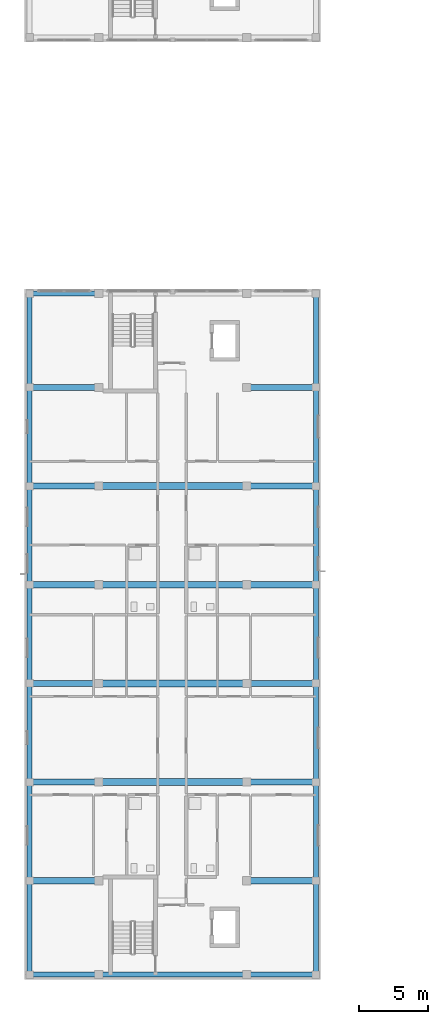
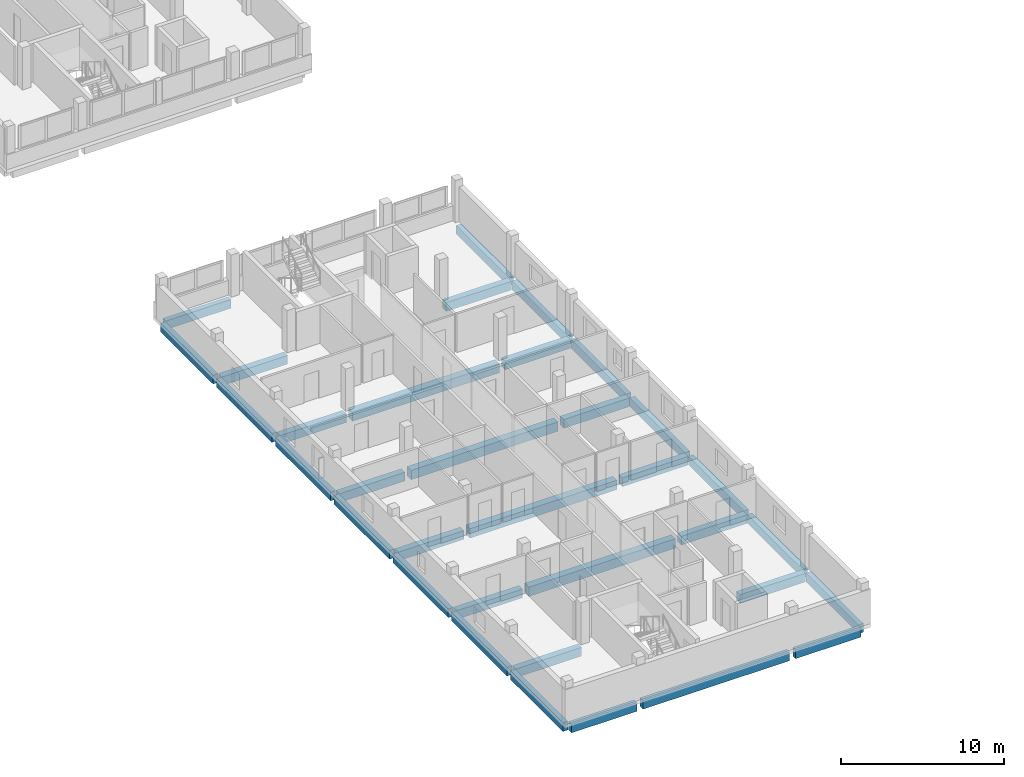
# One storey, part 3 of 38: 34 beams.
"""IFC4 building model written with IfcOpenShell, lengths in metres."""

import ifcopenshell
import ifcopenshell.guid

model = None  # the IFC model being written
_history = None  # IfcOwnerHistory: only IFC2X3 demands one
_inside = {}  # id of a spatial element -> (the spatial element, [elements in it])
_under = {}  # id of a project, library or spatial element -> (it, [spatial elements below it])
_declared = {}  # id of a project -> (the project, [libraries it declares])
_typed = {}  # id of a type object -> (the type object, [elements of that type])
_made_of = {}  # id of a material, layer set ... -> (it, [elements and type objects made of it])


def new_model(schema):
    """Start an empty IFC model of exactly this schema.

    Asked for "IFC4X3", IfcOpenShell would pick the latest addendum, in which some entities
    have other attributes; the version numbers below select the first issue.
    IFC2X3 requires an IfcOwnerHistory on every rooted entity: one is made here for all.
    """
    global model, _history
    if schema == "IFC4X3":
        model = ifcopenshell.file(schema_version=(4, 3, 0, 0))
    else:
        model = ifcopenshell.file(schema=schema)
    _inside.clear()
    _under.clear()
    _declared.clear()
    _typed.clear()
    _made_of.clear()
    _history = None
    if model.schema == "IFC2X3":
        org = make("IfcOrganization", Name="unknown")
        user = make(
            "IfcPersonAndOrganization",
            ThePerson=make("IfcPerson", FamilyName="unknown"),
            TheOrganization=org,
        )
        app = make(
            "IfcApplication",
            ApplicationDeveloper=org,
            Version="unknown",
            ApplicationFullName="unknown",
            ApplicationIdentifier="unknown",
        )
        _history = make(
            "IfcOwnerHistory",
            OwningUser=user,
            OwningApplication=app,
            ChangeAction="ADDED",
            CreationDate=0,
        )
    return model


def make(cls, **values):
    """One entity of the class cls with the attributes given. An attribute that is None is left unset."""
    return model.create_entity(
        cls, **{name: value for name, value in values.items() if value is not None}
    )


def rooted(cls, **values):
    """An entity with a GlobalId (a new one), such as an element, a storey or a relation."""
    return make(cls, GlobalId=ifcopenshell.guid.new(), OwnerHistory=_history, **values)


def si_unit(unit_type, name, prefix=None):
    """IfcSIUnit, for example si_unit("LENGTHUNIT", "METRE", prefix="MILLI")."""
    return make("IfcSIUnit", UnitType=unit_type, Prefix=prefix, Name=name)


def derived_unit(unit_type, elements):
    """IfcDerivedUnit: a product of units, each with its exponent."""
    return make(
        "IfcDerivedUnit",
        Elements=[
            make("IfcDerivedUnitElement", Unit=unit, Exponent=power)
            for unit, power in elements
        ],
        UnitType=unit_type,
    )


def assignment(units):
    """IfcUnitAssignment: the units of a project."""
    return None if units is None else make("IfcUnitAssignment", Units=units)


def point(xyz):
    """IfcCartesianPoint."""
    return None if xyz is None else make("IfcCartesianPoint", Coordinates=xyz)


def direction(xyz):
    """IfcDirection."""
    return None if xyz is None else make("IfcDirection", DirectionRatios=xyz)


def frame(location, z_axis=None, x_axis=None):
    """IfcAxis2Placement3D, a coordinate frame: its origin and axes. An axis left out is left unset."""
    return make(
        "IfcAxis2Placement3D",
        Location=point(location),
        Axis=direction(z_axis),
        RefDirection=direction(x_axis),
    )


def frame_2d(location, x_axis=None):
    """IfcAxis2Placement2D, a coordinate frame in the plane: its origin and x axis."""
    return make(
        "IfcAxis2Placement2D", Location=point(location), RefDirection=direction(x_axis)
    )


def origin():
    """The frame at (0, 0, 0) with its axes left unset."""
    return frame((0.0, 0.0, 0.0))


def origin_2d():
    """The frame at (0, 0) in the plane with its x axis left unset."""
    return frame_2d((0.0, 0.0))


def place(relative_to, where):
    """IfcLocalPlacement: puts the frame where relative to a parent placement (None: the world)."""
    return make(
        "IfcLocalPlacement", PlacementRelTo=relative_to, RelativePlacement=where
    )


def context(
    kind, dimensions, precision=None, world=None, true_north=None, identifier=None
):
    """IfcGeometricRepresentationContext, for example the 3D "Model" context."""
    return make(
        "IfcGeometricRepresentationContext",
        ContextIdentifier=identifier,
        ContextType=kind,
        CoordinateSpaceDimension=dimensions,
        Precision=precision,
        WorldCoordinateSystem=world,
        TrueNorth=true_north,
    )


def subcontext(parent, identifier, kind, view, scale=None):
    """IfcGeometricRepresentationSubContext, for example "Body" below "Model"."""
    return make(
        "IfcGeometricRepresentationSubContext",
        ContextIdentifier=identifier,
        ContextType=kind,
        ParentContext=parent,
        TargetScale=scale,
        TargetView=view,
    )


def project(units=None, contexts=None):
    """IfcProject with its units and contexts."""
    return rooted(
        "IfcProject",
        Name="project",
        RepresentationContexts=contexts,
        UnitsInContext=assignment(units),
    )


def spatial(cls, under=None, at=None, **own):
    """A site, building, storey or space (cls), placed at a placement, below another one or the project."""
    s = rooted(cls, ObjectPlacement=at, **own)
    if under is not None:
        _under.setdefault(under.id(), (under, []))[1].append(s)
    return s


def profile(cls, at=None, kind="AREA", **sizes):
    """A parametric profile (cls). Its sizes go by their IFC names, for example OverallWidth=200.0."""
    return make(cls, ProfileType=kind, Position=at, **sizes)


def rectangle(**sizes):
    """IfcRectangleProfileDef."""
    return profile("IfcRectangleProfileDef", **sizes)


def extrude(swept, where, along, depth):
    """IfcExtrudedAreaSolid: the profile swept, set in the frame where, extruded along a direction by depth."""
    return make(
        "IfcExtrudedAreaSolid",
        SweptArea=swept,
        Position=where,
        ExtrudedDirection=direction(along),
        Depth=depth,
    )


def shape(context_of_items, identifier, shape_type, items):
    """IfcShapeRepresentation: the items that make up one representation, for example the "Body"."""
    return make(
        "IfcShapeRepresentation",
        ContextOfItems=context_of_items,
        RepresentationIdentifier=identifier,
        RepresentationType=shape_type,
        Items=items,
    )


def material(Name=None, Category=None):
    """IfcMaterial."""
    return make("IfcMaterial", Name=Name, Category=Category)


def material_profile(
    of_material, cross_section, Name=None, Category=None, Priority=None
):
    """IfcMaterialProfile: a cross section and its material."""
    return make(
        "IfcMaterialProfile",
        Name=Name,
        Material=of_material,
        Profile=cross_section,
        Priority=Priority,
        Category=Category,
    )


def profile_set(profiles, Name=None, composite=None):
    """IfcMaterialProfileSet."""
    return make(
        "IfcMaterialProfileSet",
        Name=Name,
        MaterialProfiles=profiles,
        CompositeProfile=composite,
    )


def made_of(thing, what):
    """Note that an element or type object is made of a material, layer set ...; save() writes the relation."""
    if what is not None:
        _made_of.setdefault(what.id(), (what, []))[1].append(thing)
    return thing


def type_object(cls, material=None, **own):
    """A type object (cls), such as IfcWallType, which elements share."""
    return made_of(rooted(cls, **own), material)


def element(
    cls,
    number,
    at=None,
    inside=None,
    cuts=None,
    type_object=None,
    material=None,
    context=None,
    identifier="Body",
    shape_type=None,
    held_by="IfcProductDefinitionShape",
    body=None,
    shapes=None,
    **own,
):
    """One element of the class cls, such as IfcWall. Its Tag is "e" and its number.

    at: its placement. inside: the storey or other place that contains it. cuts: it is an
    opening in that element (IfcRelVoidsElement). A single representation is given by context,
    identifier, shape_type and body (its items); several are given by shapes. held_by: the class
    of the entity that holds the representations. save() writes the other relations.
    """
    e = rooted(cls, Tag="e%d" % number, ObjectPlacement=at, **own)
    if body is not None:
        shapes = [shape(context, identifier, shape_type, body)]
    if shapes is not None:
        e.Representation = make(held_by, Representations=shapes)
    if inside is not None:
        _inside.setdefault(inside.id(), (inside, []))[1].append(e)
    if cuts is not None:
        rooted(
            "IfcRelVoidsElement", RelatingBuildingElement=cuts, RelatedOpeningElement=e
        )
    if type_object is not None:
        _typed.setdefault(type_object.id(), (type_object, []))[1].append(e)
    return made_of(e, material)


def aggregate(whole, parts):
    """IfcRelAggregates: a whole, such as a stair, and the parts it consists of."""
    return rooted("IfcRelAggregates", RelatingObject=whole, RelatedObjects=parts)


def save(model, path):
    """Write the relations noted so far, then the file.

    IfcRelAggregates (storeys below a building ...), IfcRelContainedInSpatialStructure (elements
    in a storey), IfcRelDefinesByType, IfcRelAssociatesMaterial and IfcRelDeclares: one each for
    every whole, place, type object, material and project.
    """
    for whole, parts in _under.values():
        aggregate(whole, parts)
    for where, things in _inside.values():
        rooted(
            "IfcRelContainedInSpatialStructure",
            RelatedElements=things,
            RelatingStructure=where,
        )
    for kind, things in _typed.values():
        rooted("IfcRelDefinesByType", RelatedObjects=things, RelatingType=kind)
    for what, things in _made_of.values():
        rooted("IfcRelAssociatesMaterial", RelatedObjects=things, RelatingMaterial=what)
    for by, libraries in _declared.values():
        rooted("IfcRelDeclares", RelatingContext=by, RelatedDefinitions=libraries)
    model.write(path)


model = new_model("IFC4")

# Units and contexts
model_context = context("Model", 3, precision=1e-05, world=origin(), true_north=direction((0.0, 1.0)))
body_context = subcontext(model_context, "Body", "Model", "MODEL_VIEW")
ifc_project = project(units=[si_unit("LENGTHUNIT", "METRE"), si_unit("AREAUNIT", "SQUARE_METRE"), si_unit("VOLUMEUNIT", "CUBIC_METRE"), si_unit("PLANEANGLEUNIT", "RADIAN"), si_unit("MASSUNIT", "GRAM", prefix="KILO"), derived_unit("THERMALTRANSMITTANCEUNIT", [(si_unit("MASSUNIT", "GRAM", prefix="KILO"), 1), (si_unit("TIMEUNIT", "SECOND"), -3), (si_unit("THERMODYNAMICTEMPERATUREUNIT", "KELVIN"), -1)])], contexts=[model_context])

# Site, building, storey
site_placement = place(None, origin())
site = spatial("IfcSite", under=ifc_project, at=site_placement, CompositionType="ELEMENT")
building_placement = place(site_placement, origin())
building = spatial("IfcBuilding", under=site, at=building_placement, Name="Ochrekiln Boulevard Commons", CompositionType="ELEMENT")
storey_placement = place(building_placement, frame((0.0, 0.0, 24.675048828125)))
storey = spatial("IfcBuildingStorey", under=building, at=storey_placement, Name="L07", CompositionType="ELEMENT", Elevation=24.675048828125)

# Beams
ifc_material_1 = material(Name="Concrete C35/45", Category="concrete")
ifc_material_profile_1 = material_profile(ifc_material_1, rectangle(XDim=0.449951171875, YDim=0.64990234375, at=origin_2d()), Name="RC-BM-450x650")
ifc_profile_set_1 = profile_set([ifc_material_profile_1], Name="Concrete C35/45")
beam_type_1 = type_object("IfcBeamType", Name="BM-RC-450x650", PredefinedType="BEAM", material=ifc_profile_set_1)
beam_1_placement = place(storey_placement, frame((0.56005859375, 7.199951171875, -0.5849609375), z_axis=(1.0, 0.0, 0.0), x_axis=(0.0, 1.0, 0.0)))
element("IfcBeam", 1, at=beam_1_placement, inside=storey, type_object=beam_type_1, Name="Block D L07 Beam B-4565 X4", PredefinedType="BEAM", context=body_context, shape_type="SweptSolid", body=[
    extrude(rectangle(XDim=0.449951171875, YDim=0.64990234375, at=origin_2d()), origin(), (0.0, 0.0, 1.0), 4.6298828125),
])
beam_2_placement = place(storey_placement, frame((16.409912109375, 7.199951171875, -0.5849609375), z_axis=(1.0, 0.0, 0.0), x_axis=(0.0, 1.0, 0.0)))
element("IfcBeam", 2, at=beam_2_placement, inside=storey, type_object=beam_type_1, Name="Block D L07 Beam B-4565 X5", PredefinedType="BEAM", context=body_context, shape_type="SweptSolid", body=[
    extrude(rectangle(XDim=0.449951171875, YDim=0.64990234375, at=origin_2d()), origin(), (0.0, 0.0, 1.0), 4.630126953125),
])
beam_3_placement = place(storey_placement, frame((0.56005859375, 14.39990234375, -0.5849609375), z_axis=(1.0, 0.0, 0.0), x_axis=(0.0, 1.0, 0.0)))
element("IfcBeam", 3, at=beam_3_placement, inside=storey, type_object=beam_type_1, Name="Block D L07 Beam B-4565 X6", PredefinedType="BEAM", context=body_context, shape_type="SweptSolid", body=[
    extrude(rectangle(XDim=0.449951171875, YDim=0.64990234375, at=origin_2d()), origin(), (0.0, 0.0, 1.0), 4.6298828125),
])
beam_4_placement = place(storey_placement, frame((16.409912109375, 14.39990234375, -0.5849609375), z_axis=(1.0, 0.0, 0.0), x_axis=(0.0, 1.0, 0.0)))
element("IfcBeam", 4, at=beam_4_placement, inside=storey, type_object=beam_type_1, Name="Block D L07 Beam B-4565 X8", PredefinedType="BEAM", context=body_context, shape_type="SweptSolid", body=[
    extrude(rectangle(XDim=0.449951171875, YDim=0.64990234375, at=origin_2d()), origin(), (0.0, 0.0, 1.0), 4.630126953125),
])
beam_5_placement = place(storey_placement, frame((0.56005859375, 21.60009765625, -0.5849609375), z_axis=(1.0, 0.0, 0.0), x_axis=(0.0, 1.0, 0.0)))
element("IfcBeam", 5, at=beam_5_placement, inside=storey, type_object=beam_type_1, Name="Block D L07 Beam B-4565 X9", PredefinedType="BEAM", context=body_context, shape_type="SweptSolid", body=[
    extrude(rectangle(XDim=0.449951171875, YDim=0.64990234375, at=origin_2d()), origin(), (0.0, 0.0, 1.0), 4.6298828125),
])
beam_6_placement = place(storey_placement, frame((16.409912109375, 21.60009765625, -0.5849609375), z_axis=(1.0, 0.0, 0.0), x_axis=(0.0, 1.0, 0.0)))
element("IfcBeam", 6, at=beam_6_placement, inside=storey, type_object=beam_type_1, Name="Block D L07 Beam B-4565 X11", PredefinedType="BEAM", context=body_context, shape_type="SweptSolid", body=[
    extrude(rectangle(XDim=0.449951171875, YDim=0.64990234375, at=origin_2d()), origin(), (0.0, 0.0, 1.0), 4.630126953125),
])
beam_7_placement = place(storey_placement, frame((0.56005859375, 28.800048828125, -0.5849609375), z_axis=(1.0, 0.0, 0.0), x_axis=(0.0, 1.0, 0.0)))
element("IfcBeam", 7, at=beam_7_placement, inside=storey, type_object=beam_type_1, Name="Block D L07 Beam B-4565 X12", PredefinedType="BEAM", context=body_context, shape_type="SweptSolid", body=[
    extrude(rectangle(XDim=0.449951171875, YDim=0.64990234375, at=origin_2d()), origin(), (0.0, 0.0, 1.0), 4.6298828125),
])
beam_8_placement = place(storey_placement, frame((16.409912109375, 28.800048828125, -0.5849609375), z_axis=(1.0, 0.0, 0.0), x_axis=(0.0, 1.0, 0.0)))
element("IfcBeam", 8, at=beam_8_placement, inside=storey, type_object=beam_type_1, Name="Block D L07 Beam B-4565 X14", PredefinedType="BEAM", context=body_context, shape_type="SweptSolid", body=[
    extrude(rectangle(XDim=0.449951171875, YDim=0.64990234375, at=origin_2d()), origin(), (0.0, 0.0, 1.0), 4.630126953125),
])
beam_9_placement = place(storey_placement, frame((0.56005859375, 36.0, -0.5849609375), z_axis=(1.0, 0.0, 0.0), x_axis=(0.0, 1.0, 0.0)))
element("IfcBeam", 9, at=beam_9_placement, inside=storey, type_object=beam_type_1, Name="Block D L07 Beam B-4565 X15", PredefinedType="BEAM", context=body_context, shape_type="SweptSolid", body=[
    extrude(rectangle(XDim=0.449951171875, YDim=0.64990234375, at=origin_2d()), origin(), (0.0, 0.0, 1.0), 4.6298828125),
])
beam_10_placement = place(storey_placement, frame((16.409912109375, 36.0, -0.5849609375), z_axis=(1.0, 0.0, 0.0), x_axis=(0.0, 1.0, 0.0)))
element("IfcBeam", 10, at=beam_10_placement, inside=storey, type_object=beam_type_1, Name="Block D L07 Beam B-4565 X17", PredefinedType="BEAM", context=body_context, shape_type="SweptSolid", body=[
    extrude(rectangle(XDim=0.449951171875, YDim=0.64990234375, at=origin_2d()), origin(), (0.0, 0.0, 1.0), 4.630126953125),
])
beam_11_placement = place(storey_placement, frame((0.56005859375, 43.199951171875, -0.5849609375), z_axis=(1.0, 0.0, 0.0), x_axis=(0.0, 1.0, 0.0)))
element("IfcBeam", 11, at=beam_11_placement, inside=storey, type_object=beam_type_1, Name="Block D L07 Beam B-4565 X18", PredefinedType="BEAM", context=body_context, shape_type="SweptSolid", body=[
    extrude(rectangle(XDim=0.449951171875, YDim=0.64990234375, at=origin_2d()), origin(), (0.0, 0.0, 1.0), 4.6298828125),
])
beam_12_placement = place(storey_placement, frame((16.409912109375, 43.199951171875, -0.5849609375), z_axis=(1.0, 0.0, 0.0), x_axis=(0.0, 1.0, 0.0)))
element("IfcBeam", 12, at=beam_12_placement, inside=storey, type_object=beam_type_1, Name="Block D L07 Beam B-4565 X19", PredefinedType="BEAM", context=body_context, shape_type="SweptSolid", body=[
    extrude(rectangle(XDim=0.449951171875, YDim=0.64990234375, at=origin_2d()), origin(), (0.0, 0.0, 1.0), 4.630126953125),
])
ifc_material_2 = material(Name="Concrete C40/50", Category="concrete")
ifc_material_profile_2 = material_profile(ifc_material_2, rectangle(XDim=0.5, YDim=0.699951171875, at=origin_2d()), Name="RC-BM-500x700")
ifc_profile_set_2 = profile_set([ifc_material_profile_2], Name="Concrete C40/50")
beam_type_2 = type_object("IfcBeamType", Name="BM-RC-500x700", PredefinedType="BEAM", material=ifc_profile_set_2)
for number, where, z_axis, x_axis, name in (
    (13, (5.610107421875, 14.39990234375, -0.610107421875), (1.0, 0.0, 0.0), (0.0, 1.0, 0.0), "Block D L07 Beam B-5070 X7"),
    (14, (5.610107421875, 21.60009765625, -0.610107421875), (1.0, 0.0, 0.0), (0.0, 1.0, 0.0), "Block D L07 Beam B-5070 X10"),
    (15, (5.610107421875, 28.800048828125, -0.610107421875), (1.0, 0.0, 0.0), (0.0, 1.0, 0.0), "Block D L07 Beam B-5070 X13"),
    (16, (5.610107421875, 36.0, -0.610107421875), (1.0, 0.0, 0.0), (0.0, 1.0, 0.0), "Block D L07 Beam B-5070 X16"),
):
    element("IfcBeam", number, at=place(storey_placement, frame(where, z_axis=z_axis, x_axis=x_axis)), inside=storey, type_object=beam_type_2, Name=name, PredefinedType="BEAM", context=body_context, shape_type="SweptSolid", body=[
        extrude(rectangle(XDim=0.5, YDim=0.699951171875, at=origin_2d()), origin(), (0.0, 0.0, 1.0), 10.3798828125),
    ])
ifc_material_profile_3 = material_profile(ifc_material_2, rectangle(XDim=0.35009765625, YDim=0.64990234375, at=origin_2d()), Name="RC-SPN-350x650")
ifc_profile_set_3 = profile_set([ifc_material_profile_3], Name="Concrete C40/50")
beam_type_3 = type_object("IfcBeamType", Name="SPN-RC-350x650", PredefinedType="SPANDREL", material=ifc_profile_set_3)
beam_13_placement = place(storey_placement, frame((0.56005859375, 0.35009765625, -0.5849609375), z_axis=(1.0, 0.0, 0.0), x_axis=(0.0, 1.0, 0.0)))
element("IfcBeam", 17, at=beam_13_placement, inside=storey, type_object=beam_type_3, Name="Block D L07 Beam SP-3565 X1", PredefinedType="SPANDREL", context=body_context, shape_type="SweptSolid", body=[
    extrude(rectangle(XDim=0.35009765625, YDim=0.64990234375, at=origin_2d()), origin(), (0.0, 0.0, 1.0), 4.6298828125),
])
beam_14_placement = place(storey_placement, frame((5.610107421875, 0.35009765625, -0.5849609375), z_axis=(1.0, 0.0, 0.0), x_axis=(0.0, 1.0, 0.0)))
element("IfcBeam", 18, at=beam_14_placement, inside=storey, type_object=beam_type_3, Name="Block D L07 Beam SP-3565 X2", PredefinedType="SPANDREL", context=body_context, shape_type="SweptSolid", body=[
    extrude(rectangle(XDim=0.35009765625, YDim=0.64990234375, at=origin_2d()), origin(), (0.0, 0.0, 1.0), 10.3798828125),
])
beam_15_placement = place(storey_placement, frame((16.409912109375, 0.35009765625, -0.5849609375), z_axis=(1.0, 0.0, 0.0), x_axis=(0.0, 1.0, 0.0)))
element("IfcBeam", 19, at=beam_15_placement, inside=storey, type_object=beam_type_3, Name="Block D L07 Beam SP-3565 X3", PredefinedType="SPANDREL", context=body_context, shape_type="SweptSolid", body=[
    extrude(rectangle(XDim=0.35009765625, YDim=0.64990234375, at=origin_2d()), origin(), (0.0, 0.0, 1.0), 4.630126953125),
])
beam_16_placement = place(storey_placement, frame((0.56005859375, 50.050048828125, -0.5849609375), z_axis=(1.0, 0.0, 0.0), x_axis=(0.0, 1.0, 0.0)))
element("IfcBeam", 20, at=beam_16_placement, inside=storey, type_object=beam_type_3, Name="Block D L07 Beam SP-3565 X20", PredefinedType="SPANDREL", context=body_context, shape_type="SweptSolid", body=[
    extrude(rectangle(XDim=0.35009765625, YDim=0.64990234375, at=origin_2d()), origin(), (0.0, 0.0, 1.0), 4.6298828125),
])
beam_17_placement = place(storey_placement, frame((0.35009765625, 0.56005859375, -0.5849609375), z_axis=(0.0, 1.0, 0.0), x_axis=(-1.0, 0.0, 0.0)))
element("IfcBeam", 21, at=beam_17_placement, inside=storey, type_object=beam_type_3, Name="Block D L07 Beam SP-3565 Y23", PredefinedType="SPANDREL", context=body_context, shape_type="SweptSolid", body=[
    extrude(rectangle(XDim=0.35009765625, YDim=0.64990234375, at=origin_2d()), origin(), (0.0, 0.0, 1.0), 6.429931640625),
])
beam_18_placement = place(storey_placement, frame((0.35009765625, 7.409912109375, -0.5849609375), z_axis=(0.0, 1.0, 0.0), x_axis=(-1.0, 0.0, 0.0)))
element("IfcBeam", 22, at=beam_18_placement, inside=storey, type_object=beam_type_3, Name="Block D L07 Beam SP-3565 Y24", PredefinedType="SPANDREL", context=body_context, shape_type="SweptSolid", body=[
    extrude(rectangle(XDim=0.35009765625, YDim=0.64990234375, at=origin_2d()), origin(), (0.0, 0.0, 1.0), 6.780029296875),
])
beam_19_placement = place(storey_placement, frame((0.35009765625, 14.610107421875, -0.5849609375), z_axis=(0.0, 1.0, 0.0), x_axis=(-1.0, 0.0, 0.0)))
element("IfcBeam", 23, at=beam_19_placement, inside=storey, type_object=beam_type_3, Name="Block D L07 Beam SP-3565 Y25", PredefinedType="SPANDREL", context=body_context, shape_type="SweptSolid", body=[
    extrude(rectangle(XDim=0.35009765625, YDim=0.64990234375, at=origin_2d()), origin(), (0.0, 0.0, 1.0), 6.77978515625),
])
for number, where, z_axis, x_axis, name in (
    (24, (0.35009765625, 21.81005859375, -0.5849609375), (0.0, 1.0, 0.0), (-1.0, 0.0, 0.0), "Block D L07 Beam SP-3565 Y26"),
    (25, (0.35009765625, 29.010009765625, -0.5849609375), (0.0, 1.0, 0.0), (-1.0, 0.0, 0.0), "Block D L07 Beam SP-3565 Y27"),
    (26, (0.35009765625, 36.2099609375, -0.5849609375), (0.0, 1.0, 0.0), (-1.0, 0.0, 0.0), "Block D L07 Beam SP-3565 Y28"),
):
    element("IfcBeam", number, at=place(storey_placement, frame(where, z_axis=z_axis, x_axis=x_axis)), inside=storey, type_object=beam_type_3, Name=name, PredefinedType="SPANDREL", context=body_context, shape_type="SweptSolid", body=[
        extrude(rectangle(XDim=0.35009765625, YDim=0.64990234375, at=origin_2d()), origin(), (0.0, 0.0, 1.0), 6.780029296875),
    ])
beam_20_placement = place(storey_placement, frame((0.35009765625, 43.409912109375, -0.5849609375), z_axis=(0.0, 1.0, 0.0), x_axis=(-1.0, 0.0, 0.0)))
element("IfcBeam", 27, at=beam_20_placement, inside=storey, type_object=beam_type_3, Name="Block D L07 Beam SP-3565 Y29", PredefinedType="SPANDREL", context=body_context, shape_type="SweptSolid", body=[
    extrude(rectangle(XDim=0.35009765625, YDim=0.64990234375, at=origin_2d()), origin(), (0.0, 0.0, 1.0), 6.43017578125),
])
beam_21_placement = place(storey_placement, frame((21.25, 0.56005859375, -0.5849609375), z_axis=(0.0, 1.0, 0.0), x_axis=(-1.0, 0.0, 0.0)))
element("IfcBeam", 28, at=beam_21_placement, inside=storey, type_object=beam_type_3, Name="Block D L07 Beam SP-3565 Y30", PredefinedType="SPANDREL", context=body_context, shape_type="SweptSolid", body=[
    extrude(rectangle(XDim=0.35009765625, YDim=0.64990234375, at=origin_2d()), origin(), (0.0, 0.0, 1.0), 6.429931640625),
])
beam_22_placement = place(storey_placement, frame((21.25, 7.409912109375, -0.5849609375), z_axis=(0.0, 1.0, 0.0), x_axis=(-1.0, 0.0, 0.0)))
element("IfcBeam", 29, at=beam_22_placement, inside=storey, type_object=beam_type_3, Name="Block D L07 Beam SP-3565 Y31", PredefinedType="SPANDREL", context=body_context, shape_type="SweptSolid", body=[
    extrude(rectangle(XDim=0.35009765625, YDim=0.64990234375, at=origin_2d()), origin(), (0.0, 0.0, 1.0), 6.780029296875),
])
beam_23_placement = place(storey_placement, frame((21.25, 14.610107421875, -0.5849609375), z_axis=(0.0, 1.0, 0.0), x_axis=(-1.0, 0.0, 0.0)))
element("IfcBeam", 30, at=beam_23_placement, inside=storey, type_object=beam_type_3, Name="Block D L07 Beam SP-3565 Y32", PredefinedType="SPANDREL", context=body_context, shape_type="SweptSolid", body=[
    extrude(rectangle(XDim=0.35009765625, YDim=0.64990234375, at=origin_2d()), origin(), (0.0, 0.0, 1.0), 6.77978515625),
])
for number, where, z_axis, x_axis, name in (
    (31, (21.25, 21.81005859375, -0.5849609375), (0.0, 1.0, 0.0), (-1.0, 0.0, 0.0), "Block D L07 Beam SP-3565 Y33"),
    (32, (21.25, 29.010009765625, -0.5849609375), (0.0, 1.0, 0.0), (-1.0, 0.0, 0.0), "Block D L07 Beam SP-3565 Y34"),
    (33, (21.25, 36.2099609375, -0.5849609375), (0.0, 1.0, 0.0), (-1.0, 0.0, 0.0), "Block D L07 Beam SP-3565 Y35"),
):
    element("IfcBeam", number, at=place(storey_placement, frame(where, z_axis=z_axis, x_axis=x_axis)), inside=storey, type_object=beam_type_3, Name=name, PredefinedType="SPANDREL", context=body_context, shape_type="SweptSolid", body=[
        extrude(rectangle(XDim=0.35009765625, YDim=0.64990234375, at=origin_2d()), origin(), (0.0, 0.0, 1.0), 6.780029296875),
    ])
beam_24_placement = place(storey_placement, frame((21.25, 43.409912109375, -0.5849609375), z_axis=(0.0, 1.0, 0.0), x_axis=(-1.0, 0.0, 0.0)))
element("IfcBeam", 34, at=beam_24_placement, inside=storey, type_object=beam_type_3, Name="Block D L07 Beam SP-3565 Y36", PredefinedType="SPANDREL", context=body_context, shape_type="SweptSolid", body=[
    extrude(rectangle(XDim=0.35009765625, YDim=0.64990234375, at=origin_2d()), origin(), (0.0, 0.0, 1.0), 6.43017578125),
])

save(model, "model.ifc")
